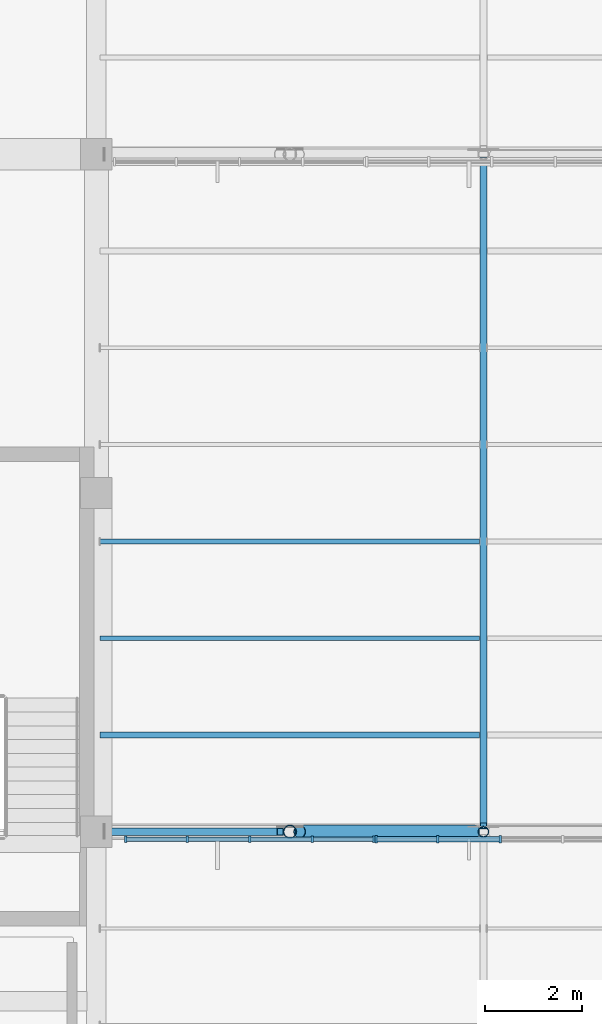
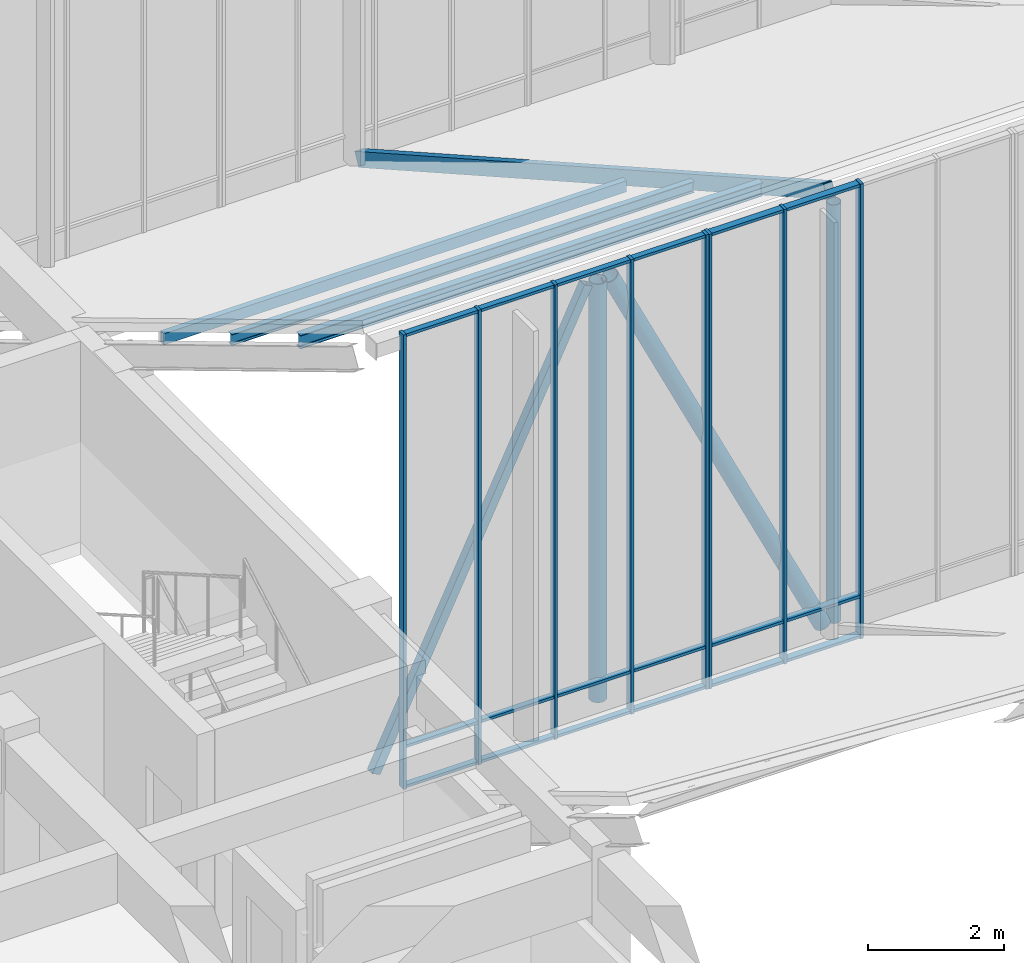
# One storey, part 40 of 155: 34 members, 2 elements without a shape of their own.
"""IFC4 building model written with IfcOpenShell, lengths in metres."""

from ifc_helpers import new_model, si_unit, direction, frame, origin, origin_2d, place, context, subcontext, project, spatial, rectangle, hollow_rectangle, hollow_circle, i_section, extrude, material, material_profile, profile_set, type_object, element, aggregate, save


model = new_model("IFC4")

# Units and contexts
model_context = context("Model", 3, precision=1e-05, world=origin(), true_north=direction((0.0, 1.0)))
body_context = subcontext(model_context, "Body", "Model", "MODEL_VIEW")
ifc_project = project(units=[si_unit("LENGTHUNIT", "METRE"), si_unit("AREAUNIT", "SQUARE_METRE"), si_unit("VOLUMEUNIT", "CUBIC_METRE"), si_unit("PLANEANGLEUNIT", "RADIAN"), si_unit("MASSUNIT", "GRAM", prefix="KILO")], contexts=[model_context])

# Site, building, storey
site_placement = place(None, origin())
site = spatial("IfcSite", under=ifc_project, at=site_placement, CompositionType="ELEMENT")
building_placement = place(site_placement, origin())
building = spatial("IfcBuilding", under=site, at=building_placement, Name="Larkveld Mobility Hub", CompositionType="ELEMENT")
storey_placement = place(building_placement, frame((0.0, 0.0, 8.39990234375)))
storey = spatial("IfcBuildingStorey", under=building, at=storey_placement, Name="L02", CompositionType="ELEMENT", Elevation=8.39990234375)

# Curtain wall, members
ifc_material_1 = material(Name="Anodised aluminium 6063-T6", Category="aluminium")
curtain_wall_type_1 = type_object("IfcCurtainWallType", Name="CW-SYS-09", PredefinedType="NOTDEFINED", material=ifc_material_1)
curtain_wall_1_placement = place(storey_placement, origin())
curtain_wall_1 = element("IfcCurtainWall", 1, at=curtain_wall_1_placement, inside=storey, type_object=curtain_wall_type_1, Name="Sawtooth South-Light Clerestory B3 CW-021", PredefinedType="NOTDEFINED")
ifc_material_profile_1 = material_profile(ifc_material_1, rectangle(XDim=0.050048828125, YDim=0.14990234375, at=origin_2d()), Name="ALU MULL 50x150")
ifc_profile_set_1 = profile_set([ifc_material_profile_1], Name="Anodised aluminium 6063-T6")
member_type_1 = type_object("IfcMemberType", Name="CW-MUL-01", PredefinedType="MULLION", material=ifc_profile_set_1)
member_1_placement = place(storey_placement, frame((157.782958984375, 55.844970703125, -0.001953125), z_axis=(0.0, 0.0, 1.0), x_axis=(1.0, 0.0, 0.0)))
member_1 = element("IfcMember", 2, at=member_1_placement, type_object=member_type_1, Name="CW09 mullion 1", PredefinedType="MULLION", context=body_context, shape_type="SweptSolid", body=[
    extrude(rectangle(XDim=0.050048828125, YDim=0.14990234375, at=origin_2d()), origin(), (0.0, 0.0, 1.0), 8.152099609375),
])
member_2_placement = place(storey_placement, frame((159.052978515625, 55.844970703125, -0.001953125), z_axis=(0.0, 0.0, 1.0), x_axis=(1.0, 0.0, 0.0)))
member_2 = element("IfcMember", 3, at=member_2_placement, type_object=member_type_1, Name="CW09 mullion 2", PredefinedType="MULLION", context=body_context, shape_type="SweptSolid", body=[
    extrude(rectangle(XDim=0.050048828125, YDim=0.14990234375, at=origin_2d()), origin(), (0.0, 0.0, 1.0), 8.152099609375),
])
member_3_placement = place(storey_placement, frame((160.346923828125, 55.844970703125, -0.001953125), z_axis=(0.0, 0.0, 1.0), x_axis=(1.0, 0.0, 0.0)))
member_3 = element("IfcMember", 4, at=member_3_placement, type_object=member_type_1, Name="CW09 mullion 3", PredefinedType="MULLION", context=body_context, shape_type="SweptSolid", body=[
    extrude(rectangle(XDim=0.050048828125, YDim=0.14990234375, at=origin_2d()), origin(), (0.0, 0.0, 1.0), 8.152099609375),
])

curtain_wall_type_2 = type_object("IfcCurtainWallType", Name="CW-SYS-08", PredefinedType="NOTDEFINED", material=ifc_material_1)
curtain_wall_2_placement = place(storey_placement, origin())
curtain_wall_2 = element("IfcCurtainWall", 5, at=curtain_wall_2_placement, inside=storey, type_object=curtain_wall_type_2, Name="Sawtooth South-Light Clerestory B3 CW-020", PredefinedType="NOTDEFINED")
ifc_material_profile_2 = material_profile(ifc_material_1, rectangle(XDim=0.050048828125, YDim=0.1298828125, at=origin_2d()), Name="ALU MULL 50x130")
ifc_profile_set_2 = profile_set([ifc_material_profile_2], Name="Anodised aluminium 6063-T6")
member_type_2 = type_object("IfcMemberType", Name="CW-MUL-04", PredefinedType="MULLION", material=ifc_profile_set_2)
member_4_placement = place(storey_placement, frame((152.60498046875, 55.844970703125, -0.001953125), z_axis=(0.0, 0.0, 1.0), x_axis=(1.0, 0.0, 0.0)))
member_4 = element("IfcMember", 6, at=member_4_placement, type_object=member_type_2, Name="CW08 mullion 1", PredefinedType="MULLION", context=body_context, shape_type="SweptSolid", body=[
    extrude(rectangle(XDim=0.050048828125, YDim=0.1298828125, at=origin_2d()), origin(), (0.0, 0.0, 1.0), 8.152099609375),
])
member_5_placement = place(storey_placement, frame((153.875, 55.844970703125, -0.001953125), z_axis=(0.0, 0.0, 1.0), x_axis=(1.0, 0.0, 0.0)))
member_5 = element("IfcMember", 7, at=member_5_placement, type_object=member_type_2, Name="CW08 mullion 2", PredefinedType="MULLION", context=body_context, shape_type="SweptSolid", body=[
    extrude(rectangle(XDim=0.050048828125, YDim=0.1298828125, at=origin_2d()), origin(), (0.0, 0.0, 1.0), 8.152099609375),
])
member_6_placement = place(storey_placement, frame((155.1689453125, 55.844970703125, -0.001953125), z_axis=(0.0, 0.0, 1.0), x_axis=(1.0, 0.0, 0.0)))
member_6 = element("IfcMember", 8, at=member_6_placement, type_object=member_type_2, Name="CW08 mullion 3", PredefinedType="MULLION", context=body_context, shape_type="SweptSolid", body=[
    extrude(rectangle(XDim=0.050048828125, YDim=0.1298828125, at=origin_2d()), origin(), (0.0, 0.0, 1.0), 8.152099609375),
])
member_7_placement = place(storey_placement, frame((156.464111328125, 55.844970703125, -0.001953125), z_axis=(0.0, 0.0, 1.0), x_axis=(1.0, 0.0, 0.0)))
member_7 = element("IfcMember", 9, at=member_7_placement, type_object=member_type_2, Name="CW08 mullion 4", PredefinedType="MULLION", context=body_context, shape_type="SweptSolid", body=[
    extrude(rectangle(XDim=0.050048828125, YDim=0.1298828125, at=origin_2d()), origin(), (0.0, 0.0, 1.0), 8.152099609375),
])
member_8_placement = place(storey_placement, frame((157.73291015625, 55.844970703125, -0.001953125), z_axis=(0.0, 0.0, 1.0), x_axis=(1.0, 0.0, 0.0)))
member_8 = element("IfcMember", 10, at=member_8_placement, type_object=member_type_2, Name="CW08 mullion 5", PredefinedType="MULLION", context=body_context, shape_type="SweptSolid", body=[
    extrude(rectangle(XDim=0.050048828125, YDim=0.1298828125, at=origin_2d()), origin(), (0.0, 0.0, 1.0), 8.152099609375),
])

# Member
ifc_material_profile_3 = material_profile(ifc_material_1, rectangle(XDim=0.1201171875, YDim=0.050048828125, at=origin_2d()), Name="ALU TRAN 50x120")
ifc_profile_set_3 = profile_set([ifc_material_profile_3], Name="Anodised aluminium 6063-T6")
member_type_3 = type_object("IfcMemberType", Name="CW-TRN-01", PredefinedType="USERDEFINED", material=ifc_profile_set_3)
member_9_placement = place(storey_placement, frame((157.79296875, 55.844970703125, 0.030029296875), z_axis=(1.0, 0.0, 0.0), x_axis=(0.0, 1.0, 0.0)))
member_9 = element("IfcMember", 11, at=member_9_placement, type_object=member_type_3, Name="CW09 transom 1.1", ObjectType="TRANSOM", PredefinedType="USERDEFINED", context=body_context, shape_type="SweptSolid", body=[
    extrude(rectangle(XDim=0.1201171875, YDim=0.050048828125, at=origin_2d()), origin(), (0.0, 0.0, 1.0), 1.2451171875),
])

member_10_placement = place(storey_placement, frame((157.79296875, 55.844970703125, 0.75), z_axis=(1.0, 0.0, 0.0), x_axis=(0.0, 1.0, 0.0)))
member_10 = element("IfcMember", 12, at=member_10_placement, type_object=member_type_3, Name="CW09 transom 1.2", ObjectType="TRANSOM", PredefinedType="USERDEFINED", context=body_context, shape_type="SweptSolid", body=[
    extrude(rectangle(XDim=0.1201171875, YDim=0.050048828125, at=origin_2d()), origin(), (0.0, 0.0, 1.0), 1.2451171875),
])

member_11_placement = place(storey_placement, frame((157.79296875, 55.844970703125, 8.1181640625), z_axis=(1.0, 0.0, 0.0), x_axis=(0.0, 1.0, 0.0)))
member_11 = element("IfcMember", 13, at=member_11_placement, type_object=member_type_3, Name="CW09 transom 1.3", ObjectType="TRANSOM", PredefinedType="USERDEFINED", context=body_context, shape_type="SweptSolid", body=[
    extrude(rectangle(XDim=0.1201171875, YDim=0.050048828125, at=origin_2d()), origin(), (0.0, 0.0, 1.0), 1.2451171875),
])

member_12_placement = place(storey_placement, frame((159.068115234375, 55.844970703125, 0.030029296875), z_axis=(1.0, 0.0, 0.0), x_axis=(0.0, 1.0, 0.0)))
member_12 = element("IfcMember", 14, at=member_12_placement, type_object=member_type_3, Name="CW09 transom 2.1", ObjectType="TRANSOM", PredefinedType="USERDEFINED", context=body_context, shape_type="SweptSolid", body=[
    extrude(rectangle(XDim=0.1201171875, YDim=0.050048828125, at=origin_2d()), origin(), (0.0, 0.0, 1.0), 1.263916015625),
])

member_13_placement = place(storey_placement, frame((159.068115234375, 55.844970703125, 0.75), z_axis=(1.0, 0.0, 0.0), x_axis=(0.0, 1.0, 0.0)))
member_13 = element("IfcMember", 15, at=member_13_placement, type_object=member_type_3, Name="CW09 transom 2.2", ObjectType="TRANSOM", PredefinedType="USERDEFINED", context=body_context, shape_type="SweptSolid", body=[
    extrude(rectangle(XDim=0.1201171875, YDim=0.050048828125, at=origin_2d()), origin(), (0.0, 0.0, 1.0), 1.263916015625),
])

member_14_placement = place(storey_placement, frame((159.068115234375, 55.844970703125, 8.1181640625), z_axis=(1.0, 0.0, 0.0), x_axis=(0.0, 1.0, 0.0)))
member_14 = element("IfcMember", 16, at=member_14_placement, type_object=member_type_3, Name="CW09 transom 2.3", ObjectType="TRANSOM", PredefinedType="USERDEFINED", context=body_context, shape_type="SweptSolid", body=[
    extrude(rectangle(XDim=0.1201171875, YDim=0.050048828125, at=origin_2d()), origin(), (0.0, 0.0, 1.0), 1.263916015625),
])

aggregate(curtain_wall_1, [member_1, member_2, member_3, member_9, member_10, member_11, member_12, member_13, member_14])

ifc_material_profile_4 = material_profile(ifc_material_1, rectangle(XDim=0.10009765625, YDim=0.050048828125, at=origin_2d()), Name="ALU TRAN 50x100")
ifc_profile_set_4 = profile_set([ifc_material_profile_4], Name="Anodised aluminium 6063-T6")
member_type_4 = type_object("IfcMemberType", Name="CW-TRN-04", PredefinedType="USERDEFINED", material=ifc_profile_set_4)
member_15_placement = place(storey_placement, frame((152.614990234375, 55.844970703125, 0.030029296875), z_axis=(1.0, 0.0, 0.0), x_axis=(0.0, 1.0, 0.0)))
member_15 = element("IfcMember", 17, at=member_15_placement, type_object=member_type_4, Name="CW08 transom 1.1", ObjectType="TRANSOM", PredefinedType="USERDEFINED", context=body_context, shape_type="SweptSolid", body=[
    extrude(rectangle(XDim=0.10009765625, YDim=0.050048828125, at=origin_2d()), origin(), (0.0, 0.0, 1.0), 1.2451171875),
])

member_16_placement = place(storey_placement, frame((152.614990234375, 55.844970703125, 0.75), z_axis=(1.0, 0.0, 0.0), x_axis=(0.0, 1.0, 0.0)))
member_16 = element("IfcMember", 18, at=member_16_placement, type_object=member_type_4, Name="CW08 transom 1.2", ObjectType="TRANSOM", PredefinedType="USERDEFINED", context=body_context, shape_type="SweptSolid", body=[
    extrude(rectangle(XDim=0.10009765625, YDim=0.050048828125, at=origin_2d()), origin(), (0.0, 0.0, 1.0), 1.2451171875),
])

member_17_placement = place(storey_placement, frame((152.614990234375, 55.844970703125, 8.1181640625), z_axis=(1.0, 0.0, 0.0), x_axis=(0.0, 1.0, 0.0)))
member_17 = element("IfcMember", 19, at=member_17_placement, type_object=member_type_4, Name="CW08 transom 1.3", ObjectType="TRANSOM", PredefinedType="USERDEFINED", context=body_context, shape_type="SweptSolid", body=[
    extrude(rectangle(XDim=0.10009765625, YDim=0.050048828125, at=origin_2d()), origin(), (0.0, 0.0, 1.0), 1.2451171875),
])

member_18_placement = place(storey_placement, frame((153.889892578125, 55.844970703125, 0.030029296875), z_axis=(1.0, 0.0, 0.0), x_axis=(0.0, 1.0, 0.0)))
member_18 = element("IfcMember", 20, at=member_18_placement, type_object=member_type_4, Name="CW08 transom 2.1", ObjectType="TRANSOM", PredefinedType="USERDEFINED", context=body_context, shape_type="SweptSolid", body=[
    extrude(rectangle(XDim=0.10009765625, YDim=0.050048828125, at=origin_2d()), origin(), (0.0, 0.0, 1.0), 1.26416015625),
])

member_19_placement = place(storey_placement, frame((153.889892578125, 55.844970703125, 0.75), z_axis=(1.0, 0.0, 0.0), x_axis=(0.0, 1.0, 0.0)))
member_19 = element("IfcMember", 21, at=member_19_placement, type_object=member_type_4, Name="CW08 transom 2.2", ObjectType="TRANSOM", PredefinedType="USERDEFINED", context=body_context, shape_type="SweptSolid", body=[
    extrude(rectangle(XDim=0.10009765625, YDim=0.050048828125, at=origin_2d()), origin(), (0.0, 0.0, 1.0), 1.26416015625),
])

member_20_placement = place(storey_placement, frame((153.889892578125, 55.844970703125, 8.1181640625), z_axis=(1.0, 0.0, 0.0), x_axis=(0.0, 1.0, 0.0)))
member_20 = element("IfcMember", 22, at=member_20_placement, type_object=member_type_4, Name="CW08 transom 2.3", ObjectType="TRANSOM", PredefinedType="USERDEFINED", context=body_context, shape_type="SweptSolid", body=[
    extrude(rectangle(XDim=0.10009765625, YDim=0.050048828125, at=origin_2d()), origin(), (0.0, 0.0, 1.0), 1.26416015625),
])

member_21_placement = place(storey_placement, frame((155.18408203125, 55.844970703125, 0.030029296875), z_axis=(1.0, 0.0, 0.0), x_axis=(0.0, 1.0, 0.0)))
member_21 = element("IfcMember", 23, at=member_21_placement, type_object=member_type_4, Name="CW08 transom 3.1", ObjectType="TRANSOM", PredefinedType="USERDEFINED", context=body_context, shape_type="SweptSolid", body=[
    extrude(rectangle(XDim=0.10009765625, YDim=0.050048828125, at=origin_2d()), origin(), (0.0, 0.0, 1.0), 1.264892578125),
])

member_22_placement = place(storey_placement, frame((155.18408203125, 55.844970703125, 0.75), z_axis=(1.0, 0.0, 0.0), x_axis=(0.0, 1.0, 0.0)))
member_22 = element("IfcMember", 24, at=member_22_placement, type_object=member_type_4, Name="CW08 transom 3.2", ObjectType="TRANSOM", PredefinedType="USERDEFINED", context=body_context, shape_type="SweptSolid", body=[
    extrude(rectangle(XDim=0.10009765625, YDim=0.050048828125, at=origin_2d()), origin(), (0.0, 0.0, 1.0), 1.264892578125),
])

member_23_placement = place(storey_placement, frame((155.18408203125, 55.844970703125, 8.1181640625), z_axis=(1.0, 0.0, 0.0), x_axis=(0.0, 1.0, 0.0)))
member_23 = element("IfcMember", 25, at=member_23_placement, type_object=member_type_4, Name="CW08 transom 3.3", ObjectType="TRANSOM", PredefinedType="USERDEFINED", context=body_context, shape_type="SweptSolid", body=[
    extrude(rectangle(XDim=0.10009765625, YDim=0.050048828125, at=origin_2d()), origin(), (0.0, 0.0, 1.0), 1.264892578125),
])

member_24_placement = place(storey_placement, frame((156.47900390625, 55.844970703125, 0.030029296875), z_axis=(1.0, 0.0, 0.0), x_axis=(0.0, 1.0, 0.0)))
member_24 = element("IfcMember", 26, at=member_24_placement, type_object=member_type_4, Name="CW08 transom 4.1", ObjectType="TRANSOM", PredefinedType="USERDEFINED", context=body_context, shape_type="SweptSolid", body=[
    extrude(rectangle(XDim=0.10009765625, YDim=0.050048828125, at=origin_2d()), origin(), (0.0, 0.0, 1.0), 1.243896484375),
])

member_25_placement = place(storey_placement, frame((156.47900390625, 55.844970703125, 0.75), z_axis=(1.0, 0.0, 0.0), x_axis=(0.0, 1.0, 0.0)))
member_25 = element("IfcMember", 27, at=member_25_placement, type_object=member_type_4, Name="CW08 transom 4.2", ObjectType="TRANSOM", PredefinedType="USERDEFINED", context=body_context, shape_type="SweptSolid", body=[
    extrude(rectangle(XDim=0.10009765625, YDim=0.050048828125, at=origin_2d()), origin(), (0.0, 0.0, 1.0), 1.243896484375),
])

member_26_placement = place(storey_placement, frame((156.47900390625, 55.844970703125, 8.1181640625), z_axis=(1.0, 0.0, 0.0), x_axis=(0.0, 1.0, 0.0)))
member_26 = element("IfcMember", 28, at=member_26_placement, type_object=member_type_4, Name="CW08 transom 4.3", ObjectType="TRANSOM", PredefinedType="USERDEFINED", context=body_context, shape_type="SweptSolid", body=[
    extrude(rectangle(XDim=0.10009765625, YDim=0.050048828125, at=origin_2d()), origin(), (0.0, 0.0, 1.0), 1.243896484375),
])

aggregate(curtain_wall_2, [member_4, member_5, member_6, member_7, member_8, member_15, member_16, member_17, member_18, member_19, member_20, member_21, member_22, member_23, member_24, member_25, member_26])

# Members
ifc_material_2 = material(Name="Steel S355JR", Category="steel")
ifc_material_profile_5 = material_profile(ifc_material_2, hollow_circle(Radius=0.109619140625, WallThickness=0.010009765625, at=origin_2d()), Name="CHS 219.1x10")
ifc_profile_set_5 = profile_set([ifc_material_profile_5], Name="Steel S355JR")
member_type_5 = type_object("IfcMemberType", Name="MB-BR-CHS219", PredefinedType="BRACE", material=ifc_profile_set_5)
member_27_placement = place(storey_placement, frame((160.0, 56.0, 0.32421875), z_axis=(0.0, 0.0, 1.0), x_axis=(1.0, 0.0, 0.0)))
element("IfcMember", 29, at=member_27_placement, inside=storey, type_object=member_type_5, Name="ROOF TRUSS T3 Vertical Post 2", PredefinedType="BRACE", context=body_context, shape_type="SweptSolid", body=[
    extrude(hollow_circle(Radius=0.109619140625, WallThickness=0.010009765625, at=origin_2d()), origin(), (0.0, 0.0, 1.0), 7.5009765625),
])
ifc_material_profile_6 = material_profile(ifc_material_2, hollow_circle(Radius=0.136474609375, WallThickness=0.012451171875, at=origin_2d()), Name="CHS 273x12.5")
ifc_profile_set_6 = profile_set([ifc_material_profile_6], Name="Steel S355JR")
member_type_6 = type_object("IfcMemberType", Name="MB-BR-CHS273", PredefinedType="BRACE", material=ifc_profile_set_6)
member_28_placement = place(storey_placement, frame((156.199951171875, 56.0, 7.8251953125), z_axis=(0.432694817509, 0.0, -0.901540456608), x_axis=(0.0, 1.0, 0.0)))
element("IfcMember", 30, at=member_28_placement, inside=storey, type_object=member_type_6, Name="ROOF TRUSS T3 Web Diagonal 2", PredefinedType="BRACE", context=body_context, shape_type="SweptSolid", body=[
    extrude(hollow_circle(Radius=0.136474609375, WallThickness=0.012451171875, at=origin_2d()), origin(), (0.0, 0.0, 1.0), 8.320068359375),
])
member_29_placement = place(storey_placement, frame((156.0, 56.0, 0.32421875), z_axis=(0.0, 0.0, 1.0), x_axis=(1.0, 0.0, 0.0)))
element("IfcMember", 31, at=member_29_placement, inside=storey, type_object=member_type_6, Name="ROOF TRUSS T3 Vertical Post 1", PredefinedType="BRACE", context=body_context, shape_type="SweptSolid", body=[
    extrude(hollow_circle(Radius=0.136474609375, WallThickness=0.012451171875, at=origin_2d()), origin(), (0.0, 0.0, 1.0), 7.5009765625),
])
ifc_material_profile_7 = material_profile(ifc_material_2, hollow_rectangle(XDim=0.14990234375, YDim=0.14990234375, WallThickness=0.008056640625, at=origin_2d()), Name="SHS 150x150x8")
ifc_profile_set_7 = profile_set([ifc_material_profile_7], Name="Steel S355JR")
member_type_7 = type_object("IfcMemberType", Name="MB-BR-SHS150", PredefinedType="BRACE", material=ifc_profile_set_7)
member_30_placement = place(storey_placement, frame((152.199951171875, 56.0, 0.32421875), z_axis=(0.432694817509, 0.0, 0.901540456608), x_axis=(0.0, 1.0, 0.0)))
element("IfcMember", 32, at=member_30_placement, inside=storey, type_object=member_type_7, Name="ROOF TRUSS T3 Web Diagonal 1", PredefinedType="BRACE", context=body_context, shape_type="SweptSolid", body=[
    extrude(hollow_rectangle(XDim=0.14990234375, YDim=0.14990234375, WallThickness=0.008056640625, at=origin_2d()), origin(), (0.0, 0.0, 1.0), 8.320068359375),
])
ifc_material_profile_8 = material_profile(ifc_material_2, hollow_rectangle(XDim=0.14990234375, YDim=0.25, WallThickness=0.010009765625, at=origin_2d()), Name="RHS 250x150x10")
ifc_profile_set_8 = profile_set([ifc_material_profile_8], Name="Steel S355JR")
member_type_8 = type_object("IfcMemberType", Name="MB-CH-RHS250", PredefinedType="CHORD", material=ifc_profile_set_8)
member_31_placement = place(storey_placement, frame((160.0, 56.1201171875, 7.9501953125), z_axis=(0.0, 0.870759014799, -0.491710014283), x_axis=(-1.0, 0.0, 0.0)))
element("IfcMember", 33, at=member_31_placement, inside=storey, type_object=member_type_8, Name="ROOF TRUSS Sloped Rafter Chord B3-160", PredefinedType="CHORD", context=body_context, shape_type="SweptSolid", body=[
    extrude(hollow_rectangle(XDim=0.14990234375, YDim=0.25, WallThickness=0.010009765625, at=origin_2d()), origin(), (0.0, 0.0, 1.0), 15.802001953125),
])
ifc_material_profile_9 = material_profile(ifc_material_2, i_section(OverallWidth=0.10009765625, OverallDepth=0.199951171875, WebThickness=0.005615234375, FlangeThickness=0.008544921875, FilletRadius=0.011962890625, at=origin_2d()), Name="IPE 200")
ifc_profile_set_9 = profile_set([ifc_material_profile_9], Name="Steel S355JR")
member_type_9 = type_object("IfcMemberType", Name="MB-PR-IPE200", PredefinedType="PURLIN", material=ifc_profile_set_9)
member_32_placement = place(storey_placement, frame((152.080078125, 60.0, 5.70703125), z_axis=(1.0, 0.0, 0.0), x_axis=(0.0, 1.0, 0.0)))
element("IfcMember", 34, at=member_32_placement, inside=storey, type_object=member_type_9, Name="Sawtooth Roof Purlin B3-2.1", PredefinedType="PURLIN", context=body_context, shape_type="SweptSolid", body=[
    extrude(i_section(OverallWidth=0.10009765625, OverallDepth=0.199951171875, WebThickness=0.005615234375, FlangeThickness=0.008544921875, FilletRadius=0.011962890625, at=origin_2d()), origin(), (0.0, 0.0, 1.0), 7.83984375),
])
ifc_material_profile_10 = material_profile(ifc_material_2, i_section(OverallWidth=0.1201171875, OverallDepth=0.239990234375, WebThickness=0.006103515625, FlangeThickness=0.009765625, FilletRadius=0.014892578125, at=origin_2d()), Name="IPE 240")
ifc_profile_set_10 = profile_set([ifc_material_profile_10], Name="Steel S355JR")
member_type_10 = type_object("IfcMemberType", Name="MB-PR-IPE240", PredefinedType="PURLIN", material=ifc_profile_set_10)
member_33_placement = place(storey_placement, frame((152.080078125, 58.0, 6.88720703125), z_axis=(1.0, 0.0, 0.0), x_axis=(0.0, 1.0, 0.0)))
element("IfcMember", 35, at=member_33_placement, inside=storey, type_object=member_type_10, Name="Sawtooth Roof Purlin B3-1.1", PredefinedType="PURLIN", context=body_context, shape_type="SweptSolid", body=[
    extrude(i_section(OverallWidth=0.1201171875, OverallDepth=0.239990234375, WebThickness=0.006103515625, FlangeThickness=0.009765625, FilletRadius=0.014892578125, at=origin_2d()), origin(), (0.0, 0.0, 1.0), 7.83984375),
])
ifc_material_profile_11 = material_profile(ifc_material_2, hollow_rectangle(XDim=0.10009765625, YDim=0.199951171875, WallThickness=0.008056640625, at=origin_2d()), Name="RHS 200x100x8")
ifc_profile_set_11 = profile_set([ifc_material_profile_11], Name="Steel S355JR")
member_type_11 = type_object("IfcMemberType", Name="MB-PR-RHS200", PredefinedType="PURLIN", material=ifc_profile_set_11)
member_34_placement = place(storey_placement, frame((152.080078125, 62.0, 4.507080078125), z_axis=(1.0, 0.0, 0.0), x_axis=(0.0, 1.0, 0.0)))
element("IfcMember", 36, at=member_34_placement, inside=storey, type_object=member_type_11, Name="Sawtooth Roof Purlin B3-3.1", PredefinedType="PURLIN", context=body_context, shape_type="SweptSolid", body=[
    extrude(hollow_rectangle(XDim=0.10009765625, YDim=0.199951171875, WallThickness=0.008056640625, at=origin_2d()), origin(), (0.0, 0.0, 1.0), 7.83984375),
])

save(model, "model.ifc")
